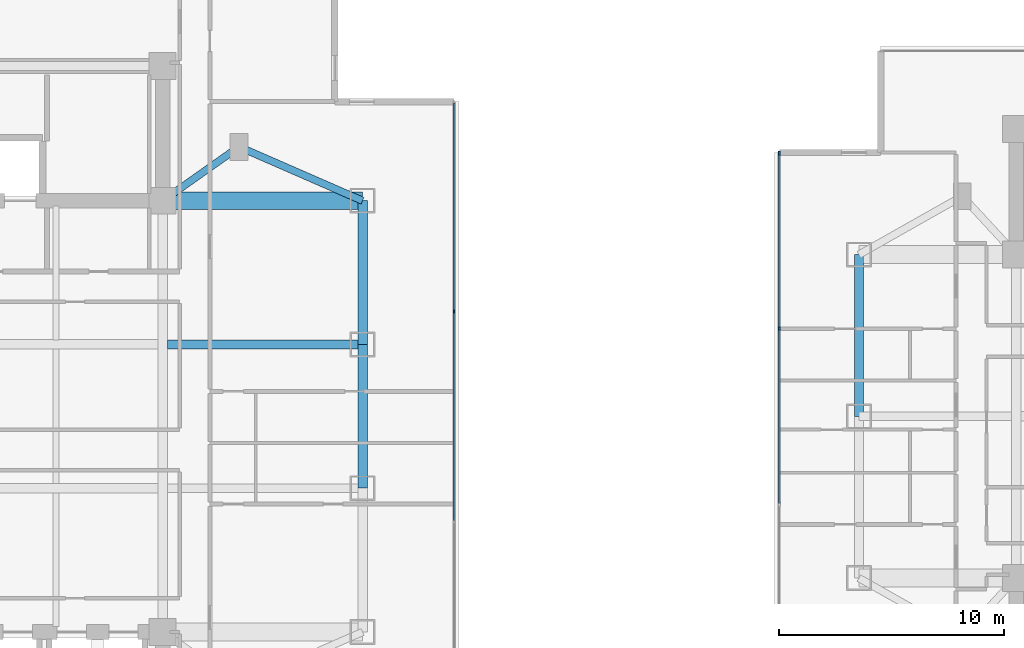
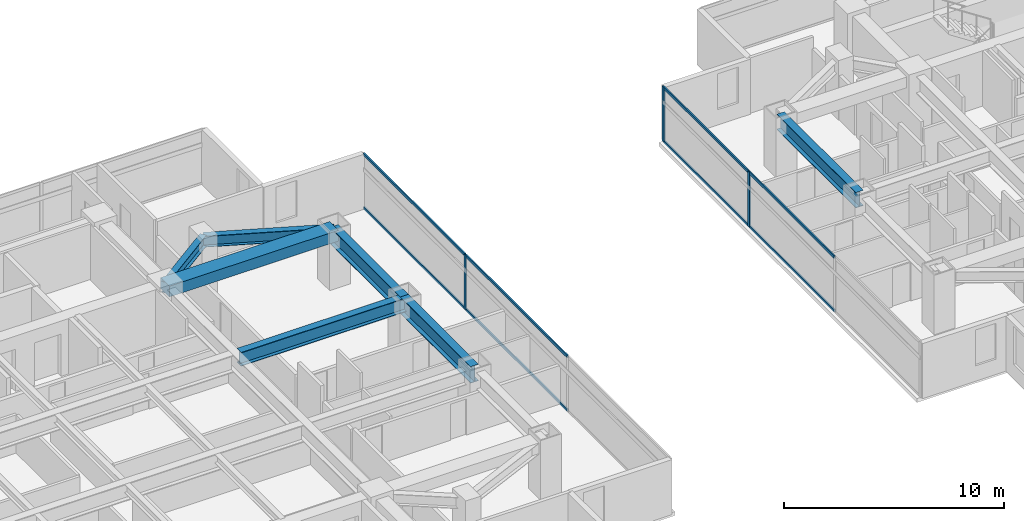
# One storey, part 6 of 26: 11 members, 7 beams, 2 elements without a shape of their own.
"""IFC4 building model written with IfcOpenShell, lengths in metres."""

from ifc_helpers import new_model, si_unit, direction, frame, origin, origin_2d, place, context, subcontext, project, spatial, rectangle, i_section, extrude, material, material_profile, profile_set, type_object, element, aggregate, save


model = new_model("IFC4")

# Units and contexts
model_context = context("Model", 3, precision=1e-05, world=origin(), true_north=direction((0.0, 1.0)))
body_context = subcontext(model_context, "Body", "Model", "MODEL_VIEW")
ifc_project = project(units=[si_unit("LENGTHUNIT", "METRE"), si_unit("AREAUNIT", "SQUARE_METRE"), si_unit("VOLUMEUNIT", "CUBIC_METRE"), si_unit("PLANEANGLEUNIT", "RADIAN"), si_unit("MASSUNIT", "GRAM", prefix="KILO")], contexts=[model_context])

# Site, building, storey
site_placement = place(None, origin())
site = spatial("IfcSite", under=ifc_project, at=site_placement, CompositionType="ELEMENT")
building_placement = place(site_placement, origin())
building = spatial("IfcBuilding", under=site, at=building_placement, Name="Mirazonda Arch Towers", CompositionType="ELEMENT")
storey_placement = place(building_placement, frame((0.0, 0.0, 114.800048828125)))
storey = spatial("IfcBuildingStorey", under=building, at=storey_placement, Name="L32", CompositionType="ELEMENT", Elevation=114.800048828125)

# Beams
ifc_material_1 = material(Name="Steel ASTM A992 Grade 50", Category="steel")
ifc_material_profile_1 = material_profile(ifc_material_1, i_section(OverallWidth=0.39990234375, OverallDepth=0.85595703125, WebThickness=0.018310546875, FlangeThickness=0.029296875, at=origin_2d()), Name="W33X201")
ifc_profile_set_1 = profile_set([ifc_material_profile_1], Name="Steel ASTM A992 Grade 50")
beam_type_1 = type_object("IfcBeamType", Name="BM-EXT-W33X201", PredefinedType="USERDEFINED", material=ifc_profile_set_1)
beam_1_placement = place(storey_placement, frame((61.0, 28.0, 2.65185546875), z_axis=(0.0, 1.0, 0.0), x_axis=(-1.0, 0.0, 0.0)))
element("IfcBeam", 1, at=beam_1_placement, inside=storey, type_object=beam_type_1, Name="L32 Floor Beam BM-T2-L32-NS-W-28", ObjectType="GIRDER", PredefinedType="USERDEFINED", context=body_context, shape_type="SweptSolid", body=[
    extrude(i_section(OverallWidth=0.39990234375, OverallDepth=0.85595703125, WebThickness=0.018310546875, FlangeThickness=0.029296875, at=origin_2d()), origin(), (0.0, 0.0, 1.0), 7.199951171875),
])
ifc_material_profile_2 = material_profile(ifc_material_1, i_section(OverallWidth=0.41796875, OverallDepth=0.927001953125, WebThickness=0.019287109375, FlangeThickness=0.031982421875, at=origin_2d()), Name="W36X231")
ifc_profile_set_2 = profile_set([ifc_material_profile_2], Name="Steel ASTM A992 Grade 50")
beam_type_2 = type_object("IfcBeamType", Name="BM-EXT-W36X231", PredefinedType="USERDEFINED", material=ifc_profile_set_2)
beam_2_placement = place(storey_placement, frame((38.89990234375, 24.800048828125, 2.616455078125), z_axis=(0.0, 1.0, 0.0), x_axis=(-1.0, 0.0, 0.0)))
element("IfcBeam", 2, at=beam_2_placement, inside=storey, type_object=beam_type_2, Name="L32 Floor Beam BM-T1-L32-NS-E-24", ObjectType="GIRDER", PredefinedType="USERDEFINED", context=body_context, shape_type="SweptSolid", body=[
    extrude(i_section(OverallWidth=0.41796875, OverallDepth=0.927001953125, WebThickness=0.019287109375, FlangeThickness=0.031982421875, at=origin_2d()), origin(), (0.0, 0.0, 1.0), 6.39990234375),
])
beam_3_placement = place(storey_placement, frame((38.89990234375, 31.199951171875, 2.616455078125), z_axis=(0.0, 1.0, 0.0), x_axis=(-1.0, 0.0, 0.0)))
element("IfcBeam", 3, at=beam_3_placement, inside=storey, type_object=beam_type_2, Name="L32 Floor Beam BM-T1-L32-NS-E-31", ObjectType="GIRDER", PredefinedType="USERDEFINED", context=body_context, shape_type="SweptSolid", body=[
    extrude(i_section(OverallWidth=0.41796875, OverallDepth=0.927001953125, WebThickness=0.019287109375, FlangeThickness=0.031982421875, at=origin_2d()), origin(), (0.0, 0.0, 1.0), 6.400146484375),
])
ifc_material_profile_3 = material_profile(ifc_material_1, i_section(OverallWidth=0.324951171875, OverallDepth=0.615966796875, WebThickness=0.013916015625, FlangeThickness=0.021484375, at=origin_2d()), Name="W24X117")
ifc_profile_set_3 = profile_set([ifc_material_profile_3], Name="Steel ASTM A992 Grade 50")
beam_type_3 = type_object("IfcBeamType", Name="BM-INT-W24X117", PredefinedType="BEAM", material=ifc_profile_set_3)
beam_4_placement = place(storey_placement, frame((33.39990234375, 40.0, 2.77197265625), z_axis=(-0.816971114901, -0.576678591087, 0.0), x_axis=(0.576678591087, -0.816971114901, 0.0)))
element("IfcBeam", 4, at=beam_4_placement, inside=storey, type_object=beam_type_3, Name="L32 Floor Beam BM-T1-L32-PL-NE1", PredefinedType="BEAM", context=body_context, shape_type="SweptSolid", body=[
    extrude(i_section(OverallWidth=0.324951171875, OverallDepth=0.615966796875, WebThickness=0.013916015625, FlangeThickness=0.021484375, at=origin_2d()), origin(), (0.0, 0.0, 1.0), 4.16162109375),
])
beam_5_placement = place(storey_placement, frame((33.39990234375, 40.0, 2.77197265625), z_axis=(0.916545343703, -0.399930785183, 0.0), x_axis=(0.399930785183, 0.916545343703, 0.0)))
element("IfcBeam", 5, at=beam_5_placement, inside=storey, type_object=beam_type_3, Name="L32 Floor Beam BM-T1-L32-PL-NE2", PredefinedType="BEAM", context=body_context, shape_type="SweptSolid", body=[
    extrude(i_section(OverallWidth=0.324951171875, OverallDepth=0.615966796875, WebThickness=0.013916015625, FlangeThickness=0.021484375, at=origin_2d()), origin(), (0.0, 0.0, 1.0), 6.000732421875),
])
ifc_material_profile_4 = material_profile(ifc_material_1, i_section(OverallWidth=0.381103515625, OverallDepth=0.77294921875, WebThickness=0.0166015625, FlangeThickness=0.027099609375, at=origin_2d()), Name="W30X173")
ifc_profile_set_4 = profile_set([ifc_material_profile_4], Name="Steel ASTM A992 Grade 50")
beam_type_4 = type_object("IfcBeamType", Name="BM-INT-W30X173", PredefinedType="USERDEFINED", material=ifc_profile_set_4)
beam_6_placement = place(storey_placement, frame((30.21142578125, 31.199951171875, 2.693359375), z_axis=(1.0, 0.0, 0.0), x_axis=(0.0, 1.0, 0.0)))
element("IfcBeam", 6, at=beam_6_placement, inside=storey, type_object=beam_type_4, Name="L32 Floor Beam BM-T1-L32-GE3", ObjectType="GIRDER", PredefinedType="USERDEFINED", context=body_context, shape_type="SweptSolid", body=[
    extrude(i_section(OverallWidth=0.381103515625, OverallDepth=0.77294921875, WebThickness=0.0166015625, FlangeThickness=0.027099609375, at=origin_2d()), origin(), (0.0, 0.0, 1.0), 8.6884765625),
])
ifc_material_2 = material(Name="Concrete C60/75", Category="concrete")
ifc_material_profile_5 = material_profile(ifc_material_2, rectangle(XDim=0.800048828125, YDim=0.60009765625, at=origin_2d()), Name="RCCB800x600")
ifc_profile_set_5 = profile_set([ifc_material_profile_5], Name="Concrete C60/75")
beam_type_5 = type_object("IfcBeamType", Name="CB-INT-RCCB800x600", PredefinedType="SPANDREL", material=ifc_profile_set_5)
beam_7_placement = place(storey_placement, frame((30.0, 37.60009765625, 2.780029296875), z_axis=(1.0, 0.0, 0.0), x_axis=(0.0, 1.0, 0.0)))
element("IfcBeam", 7, at=beam_7_placement, inside=storey, type_object=beam_type_5, Name="L32 Floor Beam CBC-T1-L32-NE", PredefinedType="SPANDREL", context=body_context, shape_type="SweptSolid", body=[
    extrude(rectangle(XDim=0.800048828125, YDim=0.60009765625, at=origin_2d()), origin(), (0.0, 0.0, 1.0), 8.89990234375),
])

# Curtain wall, member
ifc_material_3 = material(Name="Anodised Aluminium and Low-E Glass", Category="aluminium")
curtain_wall_type = type_object("IfcCurtainWallType", Name="CW-HTL-UNIT", PredefinedType="NOTDEFINED", material=ifc_material_3)
curtain_wall_1_placement = place(storey_placement, origin())
curtain_wall_1 = element("IfcCurtainWall", 8, at=curtain_wall_1_placement, inside=storey, type_object=curtain_wall_type, Name="L32 T1 E Facade CW-L32-T1-E", PredefinedType="NOTDEFINED")
ifc_material_4 = material(Name="Anodised Aluminium Alloy", Category="aluminium")
ifc_material_profile_6 = material_profile(ifc_material_4, rectangle(XDim=0.074951171875, YDim=0.1650390625, at=origin_2d()), Name="ALU-MULL-75x165")
ifc_profile_set_6 = profile_set([ifc_material_profile_6], Name="Anodised Aluminium Alloy")
member_type_1 = type_object("IfcMemberType", Name="MULL-CW-HTL-UNIT", PredefinedType="MULLION", material=ifc_profile_set_6)
member_1_placement = place(storey_placement, frame((42.969970703125, 32.669677734375, 0.0), z_axis=(0.0, 0.0, 1.0), x_axis=(-1.0, 0.0, 0.0)))
member_1 = element("IfcMember", 9, at=member_1_placement, type_object=member_type_1, Name="CW-112 mullion 3", PredefinedType="MULLION", context=body_context, shape_type="SweptSolid", body=[
    extrude(rectangle(XDim=0.074951171875, YDim=0.1650390625, at=origin_2d()), origin(), (0.0, 0.0, 1.0), 3.06005859375),
])

# Curtain wall, members
curtain_wall_2_placement = place(storey_placement, origin())
curtain_wall_2 = element("IfcCurtainWall", 10, at=curtain_wall_2_placement, inside=storey, type_object=curtain_wall_type, Name="L32 T2 W Facade CW-L32-T2-W", PredefinedType="NOTDEFINED")
member_2_placement = place(storey_placement, frame((57.45361328125, 39.710205078125, 0.0), z_axis=(0.0, 0.0, 1.0), x_axis=(1.0, 0.0, 0.0)))
member_2 = element("IfcMember", 11, at=member_2_placement, type_object=member_type_1, Name="CW-112 mullion 1", PredefinedType="MULLION", context=body_context, shape_type="SweptSolid", body=[
    extrude(rectangle(XDim=0.074951171875, YDim=0.1650390625, at=origin_2d()), origin(), (0.0, 0.0, 1.0), 3.06005859375),
])
member_3_placement = place(storey_placement, frame((57.45361328125, 31.915771484375, 0.0), z_axis=(0.0, 0.0, 1.0), x_axis=(1.0, 0.0, 0.0)))
member_3 = element("IfcMember", 12, at=member_3_placement, type_object=member_type_1, Name="CW-112 mullion 2", PredefinedType="MULLION", context=body_context, shape_type="SweptSolid", body=[
    extrude(rectangle(XDim=0.074951171875, YDim=0.1650390625, at=origin_2d()), origin(), (0.0, 0.0, 1.0), 3.06005859375),
])

# Member
ifc_material_profile_7 = material_profile(ifc_material_4, rectangle(XDim=0.074951171875, YDim=0.14501953125, at=origin_2d()), Name="ALU-TRAN-75x145")
ifc_profile_set_7 = profile_set([ifc_material_profile_7], Name="Anodised Aluminium Alloy")
member_type_2 = type_object("IfcMemberType", Name="TRAN-CW-HTL-UNIT", PredefinedType="USERDEFINED", material=ifc_profile_set_7)
member_4_placement = place(storey_placement, frame((42.969970703125, 23.367919921875, 0.037353515625), z_axis=(0.0, 1.0, 0.0), x_axis=(-1.0, 0.0, 0.0)))
member_4 = element("IfcMember", 13, at=member_4_placement, type_object=member_type_2, Name="CW-112 transom 2.1", ObjectType="TRANSOM", PredefinedType="USERDEFINED", context=body_context, shape_type="SweptSolid", body=[
    extrude(rectangle(XDim=0.074951171875, YDim=0.14501953125, at=origin_2d()), origin(), (0.0, 0.0, 1.0), 9.26416015625),
])

member_5_placement = place(storey_placement, frame((42.969970703125, 23.367919921875, 3.0224609375), z_axis=(0.0, 1.0, 0.0), x_axis=(-1.0, 0.0, 0.0)))
member_5 = element("IfcMember", 14, at=member_5_placement, type_object=member_type_2, Name="CW-112 transom 2.2", ObjectType="TRANSOM", PredefinedType="USERDEFINED", context=body_context, shape_type="SweptSolid", body=[
    extrude(rectangle(XDim=0.074951171875, YDim=0.14501953125, at=origin_2d()), origin(), (0.0, 0.0, 1.0), 9.26416015625),
])

member_6_placement = place(storey_placement, frame((42.969970703125, 32.707275390625, 0.037353515625), z_axis=(0.0, 1.0, 0.0), x_axis=(-1.0, 0.0, 0.0)))
member_6 = element("IfcMember", 15, at=member_6_placement, type_object=member_type_2, Name="CW-112 transom 3.1", ObjectType="TRANSOM", PredefinedType="USERDEFINED", context=body_context, shape_type="SweptSolid", body=[
    extrude(rectangle(XDim=0.074951171875, YDim=0.14501953125, at=origin_2d()), origin(), (0.0, 0.0, 1.0), 9.226806640625),
])

member_7_placement = place(storey_placement, frame((42.969970703125, 32.707275390625, 3.0224609375), z_axis=(0.0, 1.0, 0.0), x_axis=(-1.0, 0.0, 0.0)))
member_7 = element("IfcMember", 16, at=member_7_placement, type_object=member_type_2, Name="CW-112 transom 3.2", ObjectType="TRANSOM", PredefinedType="USERDEFINED", context=body_context, shape_type="SweptSolid", body=[
    extrude(rectangle(XDim=0.074951171875, YDim=0.14501953125, at=origin_2d()), origin(), (0.0, 0.0, 1.0), 9.226806640625),
])

aggregate(curtain_wall_1, [member_1, member_4, member_5, member_6, member_7])

member_8_placement = place(storey_placement, frame((57.45361328125, 39.672607421875, 0.037353515625), z_axis=(0.0, -1.0, 0.0), x_axis=(1.0, 0.0, 0.0)))
member_8 = element("IfcMember", 17, at=member_8_placement, type_object=member_type_2, Name="CW-112 transom 1.1", ObjectType="TRANSOM", PredefinedType="USERDEFINED", context=body_context, shape_type="SweptSolid", body=[
    extrude(rectangle(XDim=0.074951171875, YDim=0.14501953125, at=origin_2d()), origin(), (0.0, 0.0, 1.0), 7.71923828125),
])

member_9_placement = place(storey_placement, frame((57.45361328125, 39.672607421875, 3.0224609375), z_axis=(0.0, -1.0, 0.0), x_axis=(1.0, 0.0, 0.0)))
member_9 = element("IfcMember", 18, at=member_9_placement, type_object=member_type_2, Name="CW-112 transom 1.2", ObjectType="TRANSOM", PredefinedType="USERDEFINED", context=body_context, shape_type="SweptSolid", body=[
    extrude(rectangle(XDim=0.074951171875, YDim=0.14501953125, at=origin_2d()), origin(), (0.0, 0.0, 1.0), 7.71923828125),
])

member_10_placement = place(storey_placement, frame((57.45361328125, 31.87841796875, 0.037353515625), z_axis=(0.0, -1.0, 0.0), x_axis=(1.0, 0.0, 0.0)))
member_10 = element("IfcMember", 19, at=member_10_placement, type_object=member_type_2, Name="CW-112 transom 2.1", ObjectType="TRANSOM", PredefinedType="USERDEFINED", context=body_context, shape_type="SweptSolid", body=[
    extrude(rectangle(XDim=0.074951171875, YDim=0.14501953125, at=origin_2d()), origin(), (0.0, 0.0, 1.0), 7.7568359375),
])

member_11_placement = place(storey_placement, frame((57.45361328125, 31.87841796875, 3.0224609375), z_axis=(0.0, -1.0, 0.0), x_axis=(1.0, 0.0, 0.0)))
member_11 = element("IfcMember", 20, at=member_11_placement, type_object=member_type_2, Name="CW-112 transom 2.2", ObjectType="TRANSOM", PredefinedType="USERDEFINED", context=body_context, shape_type="SweptSolid", body=[
    extrude(rectangle(XDim=0.074951171875, YDim=0.14501953125, at=origin_2d()), origin(), (0.0, 0.0, 1.0), 7.7568359375),
])

aggregate(curtain_wall_2, [member_2, member_3, member_8, member_9, member_10, member_11])

save(model, "model.ifc")
